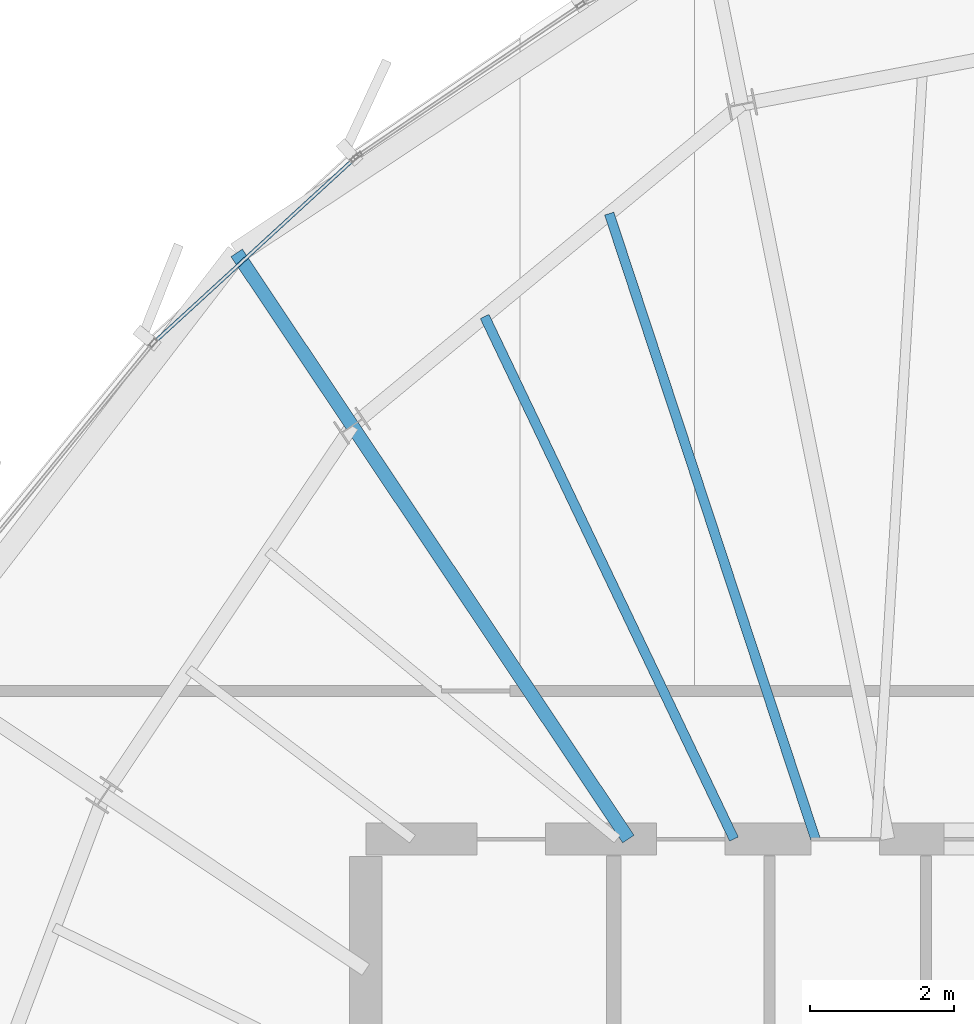
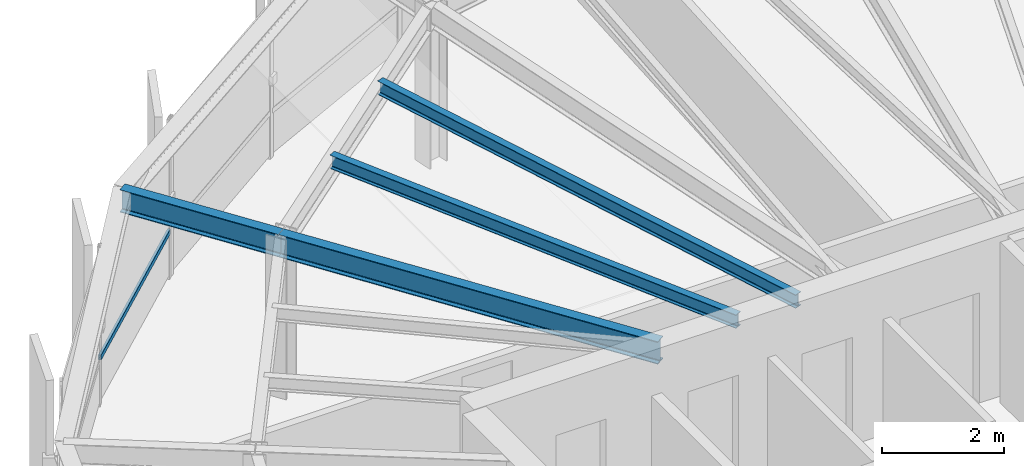
# One storey, part 18 of 31: 4 beams, 1 member, 1 element without a shape of its own.
"""IFC4 building model written with IfcOpenShell, lengths in metres."""

from ifc_helpers import new_model, si_unit, direction, frame, origin, origin_2d, place, context, subcontext, project, spatial, hollow_rectangle, i_section, extrude, source, transform, mapped, material, layer, layer_set, material_profile, profile_set, type_object, element, aggregate, save


model = new_model("IFC4")

# Units and contexts
model_context = context("Model", 3, precision=1e-05, world=origin(), true_north=direction((0.0, 1.0)))
body_context = subcontext(model_context, "Body", "Model", "MODEL_VIEW")
ifc_project = project(units=[si_unit("LENGTHUNIT", "METRE"), si_unit("AREAUNIT", "SQUARE_METRE"), si_unit("VOLUMEUNIT", "CUBIC_METRE"), si_unit("PLANEANGLEUNIT", "RADIAN"), si_unit("MASSUNIT", "GRAM", prefix="KILO"), si_unit("THERMODYNAMICTEMPERATUREUNIT", "KELVIN")], contexts=[model_context])

# Site, building, storey
site_placement = place(None, origin())
site = spatial("IfcSite", under=ifc_project, at=site_placement, CompositionType="ELEMENT")
building_placement = place(site_placement, origin())
building = spatial("IfcBuilding", under=site, at=building_placement, Name="Kethvar Cultural Tower", CompositionType="ELEMENT")
storey_placement = place(building_placement, frame((0.0, 0.0, 287.050048828125)))
storey = spatial("IfcBuildingStorey", under=building, at=storey_placement, Name="L76", CompositionType="ELEMENT", Elevation=287.050048828125)

# Beams
ifc_material_1 = material(Name="Steel S355J2", Category="steel")
ifc_material_profile_1 = material_profile(ifc_material_1, i_section(OverallWidth=0.18994140625, OverallDepth=0.449951171875, WebThickness=0.009521484375, FlangeThickness=0.0146484375, FilletRadius=0.02099609375, at=origin_2d()), Name="Steel S355J2 — IPE450")
ifc_profile_set_1 = profile_set([ifc_material_profile_1], Name="Steel S355J2 — IPE450")
beam_type_1 = type_object("IfcBeamType", Name="BM-IPE450", PredefinedType="BEAM", material=ifc_profile_set_1)
shared_shape_1 = source(origin(), body_context, "Body", "SweptSolid", [
    extrude(i_section(OverallWidth=0.18994140625, OverallDepth=0.449951171875, WebThickness=0.009521484375, FlangeThickness=0.0146484375, FilletRadius=0.02099609375, at=origin_2d()), origin(), (0.0, 0.0, 1.0), 6.921630859375),
])
beam_1_placement = place(storey_placement, frame((41.655029296875, 35.5, 2.98291015625), z_axis=(-0.555570841874, 0.831469205479, 0.0), x_axis=(-0.831469205479, -0.555570841874, 0.0)))
element("IfcBeam", 1, at=beam_1_placement, inside=storey, type_object=beam_type_1, Name="L76 Primary Radial Beam RB-06", PredefinedType="BEAM", context=body_context, shape_type="MappedRepresentation", body=[
    mapped(shared_shape_1, transform((0.0, 0.0, 0.0), scale=1.0)),
])
ifc_material_profile_2 = material_profile(ifc_material_1, i_section(OverallWidth=0.135009765625, OverallDepth=0.27001953125, WebThickness=0.006591796875, FlangeThickness=0.01025390625, FilletRadius=0.014892578125, at=origin_2d()), Name="Steel S355J2 — IPE270")
ifc_profile_set_2 = profile_set([ifc_material_profile_2], Name="Steel S355J2 — IPE270")
beam_type_2 = type_object("IfcBeamType", Name="BM-J270", PredefinedType="JOIST", material=ifc_profile_set_2)
shared_shape_2 = source(origin(), body_context, "Body", "SweptSolid", [
    extrude(i_section(OverallWidth=0.135009765625, OverallDepth=0.27001953125, WebThickness=0.006591796875, FlangeThickness=0.01025390625, FilletRadius=0.014892578125, at=origin_2d()), origin(), (0.0, 0.0, 1.0), 9.17138671875),
])
beam_2_placement = place(storey_placement, frame((44.260986328125, 35.5, 3.072998046875), z_axis=(-0.313151555446, 0.949703165901, 0.0), x_axis=(-0.949703165901, -0.313151555446, 0.0)))
element("IfcBeam", 2, at=beam_2_placement, inside=storey, type_object=beam_type_2, Name="L76 Composite Floor Joist J-05A", PredefinedType="JOIST", context=body_context, shape_type="MappedRepresentation", body=[
    mapped(shared_shape_2, transform((0.0, 0.0, 0.0), scale=1.0)),
])
shared_shape_3 = source(origin(), body_context, "Body", "SweptSolid", [
    extrude(i_section(OverallWidth=0.135009765625, OverallDepth=0.27001953125, WebThickness=0.006591796875, FlangeThickness=0.01025390625, FilletRadius=0.014892578125, at=origin_2d()), origin(), (0.0, 0.0, 1.0), 8.063232421875),
])
beam_3_placement = place(storey_placement, frame((43.1259765625, 35.5, 3.072998046875), z_axis=(-0.430642151588, 0.902522762746, 0.0), x_axis=(-0.902522762746, -0.430642151588, 0.0)))
element("IfcBeam", 3, at=beam_3_placement, inside=storey, type_object=beam_type_2, Name="L76 Composite Floor Joist J-05B", PredefinedType="JOIST", context=body_context, shape_type="MappedRepresentation", body=[
    mapped(shared_shape_3, transform((0.0, 0.0, 0.0), scale=1.0)),
])
shared_shape_4 = source(origin(), body_context, "Body", "SweptSolid", [
    extrude(i_section(OverallWidth=0.18994140625, OverallDepth=0.449951171875, WebThickness=0.009521484375, FlangeThickness=0.0146484375, FilletRadius=0.02099609375, at=origin_2d()), origin(), (0.0, 0.0, 1.0), 2.8955078125),
])
beam_4_placement = place(storey_placement, frame((37.8095703125, 41.255126953125, 2.98291015625), z_axis=(-0.555575505696, 0.831466089189, 0.0), x_axis=(-0.831466089189, -0.555575505696, 0.0)))
element("IfcBeam", 4, at=beam_4_placement, inside=storey, type_object=beam_type_1, Name="L76 Perimeter Cantilever Beam RC-06", PredefinedType="BEAM", context=body_context, shape_type="MappedRepresentation", body=[
    mapped(shared_shape_4, transform((0.0, 0.0, 0.0), scale=1.0)),
])

# Curtain wall, member
ifc_material_2 = material(Name="Aluminium 6063-T6", Category="aluminium")
ifc_layer = layer(ifc_material_2, 0.179931640625, Name="Aluminium 6063-T6", Category="aluminium")
ifc_layer_set = layer_set([ifc_layer], Name="Aluminium 6063-T6 (180 mm)")
curtain_wall_type = type_object("IfcCurtainWallType", Name="CW-SYS-05-Z56", PredefinedType="NOTDEFINED", material=ifc_layer_set)
curtain_wall_placement = place(storey_placement, origin())
curtain_wall = element("IfcCurtainWall", 5, at=curtain_wall_placement, inside=storey, type_object=curtain_wall_type, Name="L76 Curtain Wall Run 02", PredefinedType="NOTDEFINED")
ifc_material_profile_3 = material_profile(ifc_material_2, hollow_rectangle(XDim=0.050048828125, YDim=0.10009765625, WallThickness=0.00390625, at=origin_2d()), Name="Aluminium 6063-T6 — RHS100x50x4")
ifc_profile_set_3 = profile_set([ifc_material_profile_3], Name="Aluminium 6063-T6 — RHS100x50x4")
member_type = type_object("IfcMemberType", Name="CW-SYS-05-Z56-TRN", PredefinedType="USERDEFINED", material=ifc_profile_set_3)
shared_shape_5 = source(origin(), body_context, "Body", "SweptSolid", [
    extrude(hollow_rectangle(XDim=0.050048828125, YDim=0.10009765625, WallThickness=0.00390625, at=origin_2d()), origin(), (0.0, 0.0, 1.0), 3.780029296875),
])
member_placement = place(storey_placement, frame((37.842529296875, 44.977783203125, 0.949951171875), z_axis=(-0.736810879895, -0.676098903466, 0.0), x_axis=(0.676098903466, -0.736810879895, 0.0)))
member = element("IfcMember", 6, at=member_placement, type_object=member_type, Name="CW-L76-R02 Transom 1", ObjectType="TRANSOM", PredefinedType="USERDEFINED", context=body_context, shape_type="MappedRepresentation", body=[
    mapped(shared_shape_5, transform((0.0, 0.0, 0.0), scale=1.0)),
])
aggregate(curtain_wall, [member])

save(model, "model.ifc")
